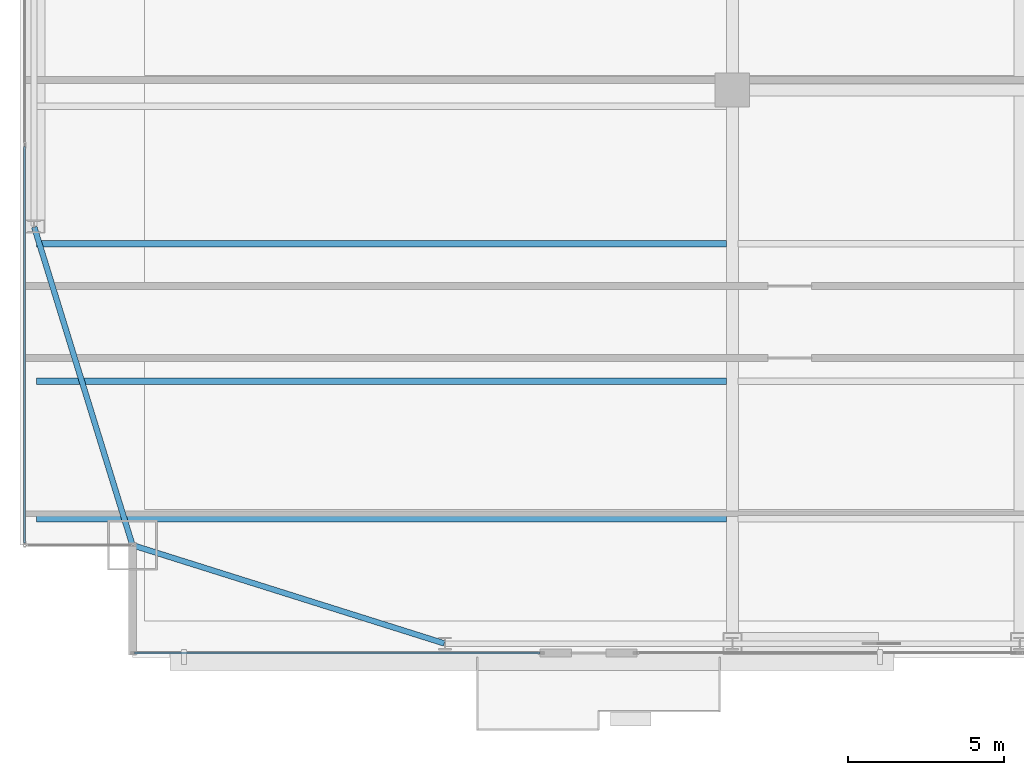
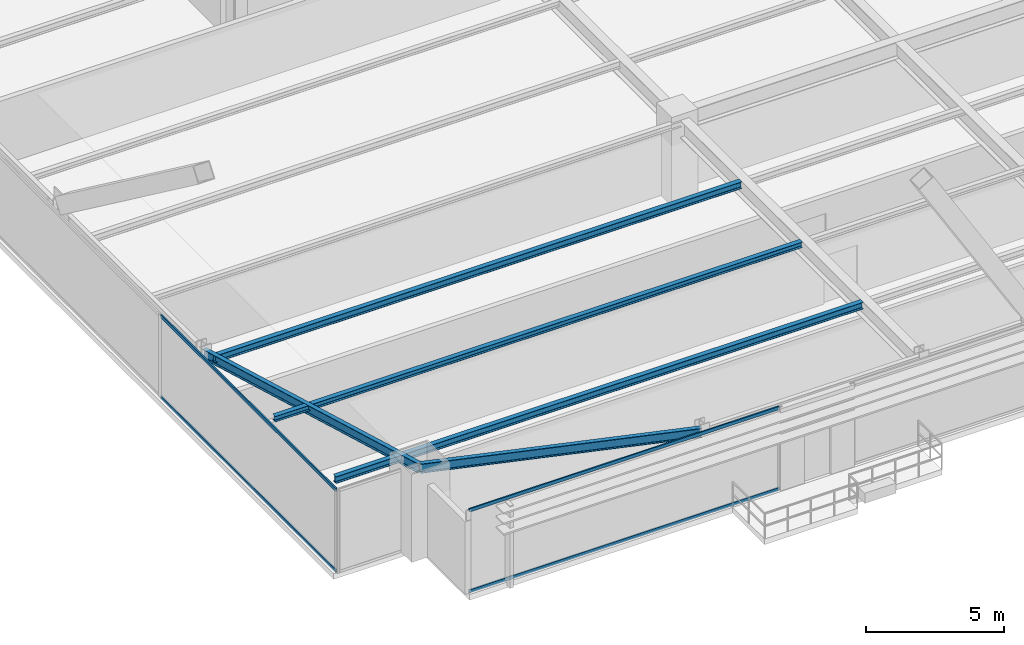
# One storey, part 4 of 34: 5 beams, 4 members, 2 elements without a shape of their own.
"""IFC4 building model written with IfcOpenShell, lengths in metres."""

from ifc_helpers import new_model, si_unit, direction, frame, origin, origin_2d, place, context, subcontext, project, spatial, hollow_rectangle, i_section, extrude, source, transform, mapped, material, layer, layer_set, material_profile, profile_set, type_object, type_shapes, element, aggregate, save


model = new_model("IFC4")

# Units and contexts
model_context = context("Model", 3, precision=1e-05, world=origin(), true_north=direction((0.0, 1.0)))
body_context = subcontext(model_context, "Body", "Model", "MODEL_VIEW")
ifc_project = project(units=[si_unit("LENGTHUNIT", "METRE"), si_unit("AREAUNIT", "SQUARE_METRE"), si_unit("VOLUMEUNIT", "CUBIC_METRE"), si_unit("PLANEANGLEUNIT", "RADIAN"), si_unit("MASSUNIT", "GRAM", prefix="KILO")], contexts=[model_context])

# Site, building, storey
site_placement = place(None, origin())
site = spatial("IfcSite", under=ifc_project, at=site_placement, CompositionType="ELEMENT")
building_placement = place(site_placement, origin())
building = spatial("IfcBuilding", under=site, at=building_placement, Name="Varnel Quay Broadcast Tower", CompositionType="ELEMENT")
storey_placement = place(building_placement, frame((0.0, 0.0, 47.10009765625)))
storey = spatial("IfcBuildingStorey", under=building, at=storey_placement, Name="L10", CompositionType="ELEMENT", Elevation=47.10009765625)

# Beams
ifc_material_1 = material(Name="Structural Steel CSA G40.21 350W", Category="steel")
ifc_material_profile_1 = material_profile(ifc_material_1, i_section(OverallWidth=0.180908203125, OverallDepth=0.4169921875, WebThickness=0.010986328125, FlangeThickness=0.018310546875, FilletRadius=0.011962890625, at=origin_2d()), Name="W410X85")
ifc_profile_set_1 = profile_set([ifc_material_profile_1], Name="Structural Steel CSA G40.21 350W")
beam_type_1 = type_object("IfcBeamType", Name="Beam_W410X85", PredefinedType="SPANDREL", material=ifc_profile_set_1)
shared_shape_1 = source(origin(), body_context, "Body", "SweptSolid", [
    extrude(i_section(OverallWidth=0.180908203125, OverallDepth=0.4169921875, WebThickness=0.010986328125, FlangeThickness=0.018310546875, FilletRadius=0.011962890625, at=origin_2d()), origin(), (0.0, 0.0, 1.0), 10.444091796875),
])
beam_1_placement = place(storey_placement, frame((5.619140625, 4.7939453125, 3.44140625), z_axis=(0.953798277271, -0.300447743003, 0.0), x_axis=(0.300447743003, 0.953798277271, 0.0)))
element("IfcBeam", 1, at=beam_1_placement, inside=storey, type_object=beam_type_1, Name="L10 South Spandrel MC-SW-TC-S1", PredefinedType="SPANDREL", context=body_context, shape_type="MappedRepresentation", body=[
    mapped(shared_shape_1, transform((0.0, 0.0, 0.0), x_axis=(1.0, 0.0, 0.0), y_axis=(0.0, 1.0, 0.0), z_axis=(0.0, 0.0, 1.0), scale=1.0)),
])
shared_shape_2 = source(origin(), body_context, "Body", "SweptSolid", [
    extrude(i_section(OverallWidth=0.180908203125, OverallDepth=0.4169921875, WebThickness=0.010986328125, FlangeThickness=0.018310546875, FilletRadius=0.011962890625, at=origin_2d()), origin(), (0.0, 0.0, 1.0), 10.635498046875),
])
type_shapes(beam_type_1, [shared_shape_1, shared_shape_2])
beam_2_placement = place(storey_placement, frame((5.593994140625, 4.819091796875, 3.44140625), z_axis=(-0.295069676324, 0.955475738108, 0.0), x_axis=(-0.955475738108, -0.295069676324, 0.0)))
element("IfcBeam", 2, at=beam_2_placement, inside=storey, type_object=beam_type_1, Name="L10 West Spandrel MC-SW-TC-W1", PredefinedType="SPANDREL", context=body_context, shape_type="MappedRepresentation", body=[
    mapped(shared_shape_2, transform((0.0, 0.0, 0.0), x_axis=(1.0, 0.0, 0.0), y_axis=(0.0, 1.0, 0.0), z_axis=(0.0, 0.0, 1.0), scale=1.0)),
])
ifc_material_profile_2 = material_profile(ifc_material_1, i_section(OverallWidth=0.202880859375, OverallDepth=0.302978515625, WebThickness=0.007568359375, FlangeThickness=0.01318359375, FilletRadius=0.011962890625, at=origin_2d()), Name="W310X60")
ifc_profile_set_2 = profile_set([ifc_material_profile_2], Name="Structural Steel CSA G40.21 350W")
beam_type_2 = type_object("IfcBeamType", Name="Beam_W310X60", PredefinedType="JOIST", material=ifc_profile_set_2)
shared_shape_3 = source(origin(), body_context, "Body", "SweptSolid", [
    extrude(i_section(OverallWidth=0.202880859375, OverallDepth=0.302978515625, WebThickness=0.007568359375, FlangeThickness=0.01318359375, FilletRadius=0.011962890625, at=origin_2d()), origin(), (0.0, 0.0, 1.0), 22.0791015625),
])
type_shapes(beam_type_2, [shared_shape_3])
for number, where, z_axis, x_axis, name in (
    (3, (2.535400390625, 5.64990234375, 3.498291015625), (1.0, 0.0, 0.0), (0.0, 1.0, 0.0), "L10 West Floor Joist 1"),
    (4, (2.535400390625, 14.449951171875, 3.498291015625), (1.0, 0.0, 0.0), (0.0, 1.0, 0.0), "L10 West Floor Joist 3"),
):
    element("IfcBeam", number, at=place(storey_placement, frame(where, z_axis=z_axis, x_axis=x_axis)), inside=storey, type_object=beam_type_2, Name=name, PredefinedType="JOIST", context=body_context, shape_type="MappedRepresentation", body=[
        mapped(shared_shape_3, transform((0.0, 0.0, 0.0), x_axis=(1.0, 0.0, 0.0), y_axis=(0.0, 1.0, 0.0), z_axis=(0.0, 0.0, 1.0), scale=1.0)),
    ])
ifc_material_profile_3 = material_profile(ifc_material_1, i_section(OverallWidth=0.201904296875, OverallDepth=0.2470703125, WebThickness=0.00732421875, FlangeThickness=0.010986328125, FilletRadius=0.010986328125, at=origin_2d()), Name="W250X49")
ifc_profile_set_3 = profile_set([ifc_material_profile_3], Name="Structural Steel CSA G40.21 350W")
beam_type_3 = type_object("IfcBeamType", Name="Beam_W250X49", PredefinedType="JOIST", material=ifc_profile_set_3)
shared_shape_4 = source(origin(), body_context, "Body", "SweptSolid", [
    extrude(i_section(OverallWidth=0.201904296875, OverallDepth=0.2470703125, WebThickness=0.00732421875, FlangeThickness=0.010986328125, FilletRadius=0.010986328125, at=origin_2d()), origin(), (0.0, 0.0, 1.0), 22.0791015625),
])
type_shapes(beam_type_3, [shared_shape_4])
beam_3_placement = place(storey_placement, frame((2.535400390625, 10.050048828125, 3.5263671875), z_axis=(1.0, 0.0, 0.0), x_axis=(0.0, 1.0, 0.0)))
element("IfcBeam", 5, at=beam_3_placement, inside=storey, type_object=beam_type_3, Name="L10 West Floor Joist 2", PredefinedType="JOIST", context=body_context, shape_type="MappedRepresentation", body=[
    mapped(shared_shape_4, transform((0.0, 0.0, 0.0), x_axis=(1.0, 0.0, 0.0), y_axis=(0.0, 1.0, 0.0), z_axis=(0.0, 0.0, 1.0), scale=1.0)),
])

# Curtain wall, members
ifc_material_2 = material(Name="Anodised Bronze Aluminium 6063-T6", Category="aluminium")
ifc_layer = layer(ifc_material_2, 0.18994140625, Name="Anodised Bronze Aluminium 6063-T6")
ifc_layer_set = layer_set([ifc_layer], Name="Anodised Bronze Aluminium 6063-T6")
curtain_wall_type = type_object("IfcCurtainWallType", Name="CW_LowerTower", PredefinedType="NOTDEFINED", material=ifc_layer_set)
curtain_wall_1_placement = place(storey_placement, origin())
curtain_wall_1 = element("IfcCurtainWall", 6, at=curtain_wall_1_placement, inside=storey, type_object=curtain_wall_type, Name="L10 South Unitised Curtain Wall 1", PredefinedType="NOTDEFINED")
ifc_material_profile_4 = material_profile(ifc_material_2, hollow_rectangle(XDim=0.06005859375, YDim=0.14501953125, WallThickness=0.00341796875, at=origin_2d()), Name="ALU60X145X3.5")
ifc_profile_set_4 = profile_set([ifc_material_profile_4], Name="Anodised Bronze Aluminium 6063-T6")
member_type = type_object("IfcMemberType", Name="Tran_CWS-02", PredefinedType="USERDEFINED", material=ifc_profile_set_4)
shared_shape_5 = source(origin(), body_context, "Body", "SweptSolid", [
    extrude(hollow_rectangle(XDim=0.06005859375, YDim=0.14501953125, WallThickness=0.00341796875, at=origin_2d()), origin(), (0.0, 0.0, 1.0), 12.97998046875),
])
member_1_placement = place(storey_placement, frame((5.669921875, 1.35009765625, 0.02978515625), z_axis=(1.0, 0.0, 0.0), x_axis=(0.0, 1.0, 0.0)))
member_1 = element("IfcMember", 7, at=member_1_placement, type_object=member_type, Name="CWS-02 transom 1.1", ObjectType="TRANSOM", PredefinedType="USERDEFINED", context=body_context, shape_type="MappedRepresentation", body=[
    mapped(shared_shape_5, transform((0.0, 0.0, 0.0), x_axis=(1.0, 0.0, 0.0), y_axis=(0.0, 1.0, 0.0), z_axis=(0.0, 0.0, 1.0), scale=1.0)),
])
member_2_placement = place(storey_placement, frame((5.669921875, 1.35009765625, 3.619873046875), z_axis=(1.0, 0.0, 0.0), x_axis=(0.0, 1.0, 0.0)))
member_2 = element("IfcMember", 8, at=member_2_placement, type_object=member_type, Name="CWS-02 transom 1.2", ObjectType="TRANSOM", PredefinedType="USERDEFINED", context=body_context, shape_type="MappedRepresentation", body=[
    mapped(shared_shape_5, transform((0.0, 0.0, 0.0), x_axis=(1.0, 0.0, 0.0), y_axis=(0.0, 1.0, 0.0), z_axis=(0.0, 0.0, 1.0), scale=1.0)),
])
aggregate(curtain_wall_1, [member_1, member_2])

curtain_wall_2_placement = place(storey_placement, origin())
curtain_wall_2 = element("IfcCurtainWall", 9, at=curtain_wall_2_placement, inside=storey, type_object=curtain_wall_type, Name="L10 West Unitised Curtain Wall", PredefinedType="NOTDEFINED")
shared_shape_6 = source(origin(), body_context, "Body", "SweptSolid", [
    extrude(hollow_rectangle(XDim=0.06005859375, YDim=0.14501953125, WallThickness=0.00341796875, at=origin_2d()), origin(), (0.0, 0.0, 1.0), 12.69482421875),
])
type_shapes(member_type, [shared_shape_5, shared_shape_6])
member_3_placement = place(storey_placement, frame((2.14990234375, 4.8701171875, 0.02978515625), z_axis=(0.0, 1.0, 0.0), x_axis=(-1.0, 0.0, 0.0)))
member_3 = element("IfcMember", 10, at=member_3_placement, type_object=member_type, Name="CWS-02 transom 1.1", ObjectType="TRANSOM", PredefinedType="USERDEFINED", context=body_context, shape_type="MappedRepresentation", body=[
    mapped(shared_shape_6, transform((0.0, 0.0, 0.0), x_axis=(1.0, 0.0, 0.0), y_axis=(0.0, 1.0, 0.0), z_axis=(0.0, 0.0, 1.0), scale=1.0)),
])
member_4_placement = place(storey_placement, frame((2.14990234375, 4.8701171875, 3.619873046875), z_axis=(0.0, 1.0, 0.0), x_axis=(-1.0, 0.0, 0.0)))
member_4 = element("IfcMember", 11, at=member_4_placement, type_object=member_type, Name="CWS-02 transom 1.2", ObjectType="TRANSOM", PredefinedType="USERDEFINED", context=body_context, shape_type="MappedRepresentation", body=[
    mapped(shared_shape_6, transform((0.0, 0.0, 0.0), x_axis=(1.0, 0.0, 0.0), y_axis=(0.0, 1.0, 0.0), z_axis=(0.0, 0.0, 1.0), scale=1.0)),
])
aggregate(curtain_wall_2, [member_3, member_4])

save(model, "model.ifc")
